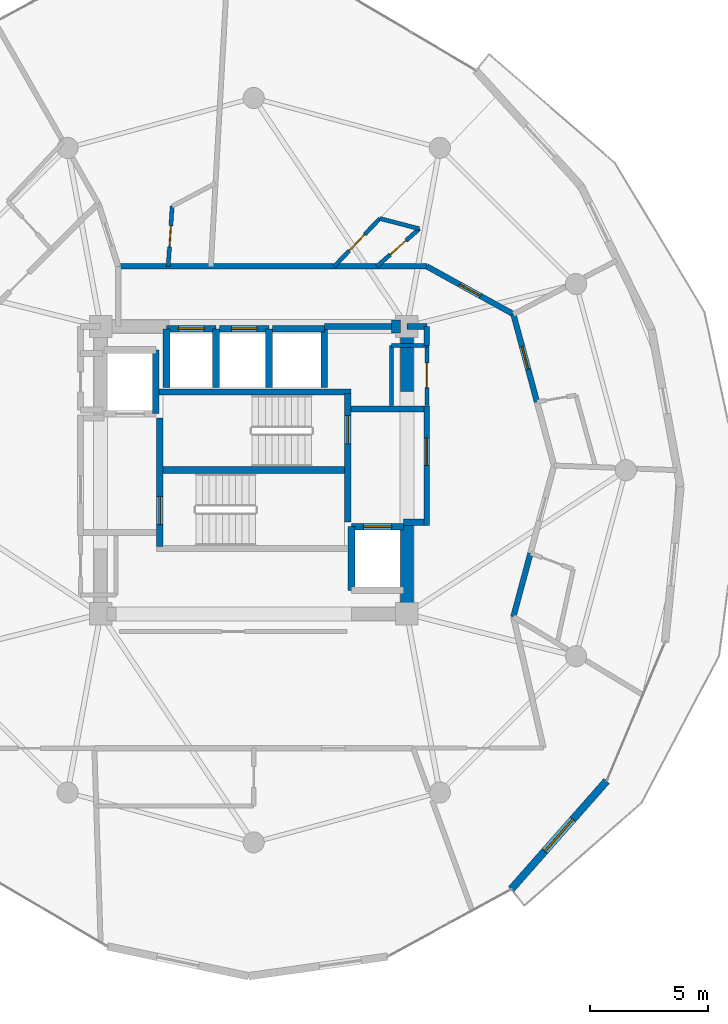
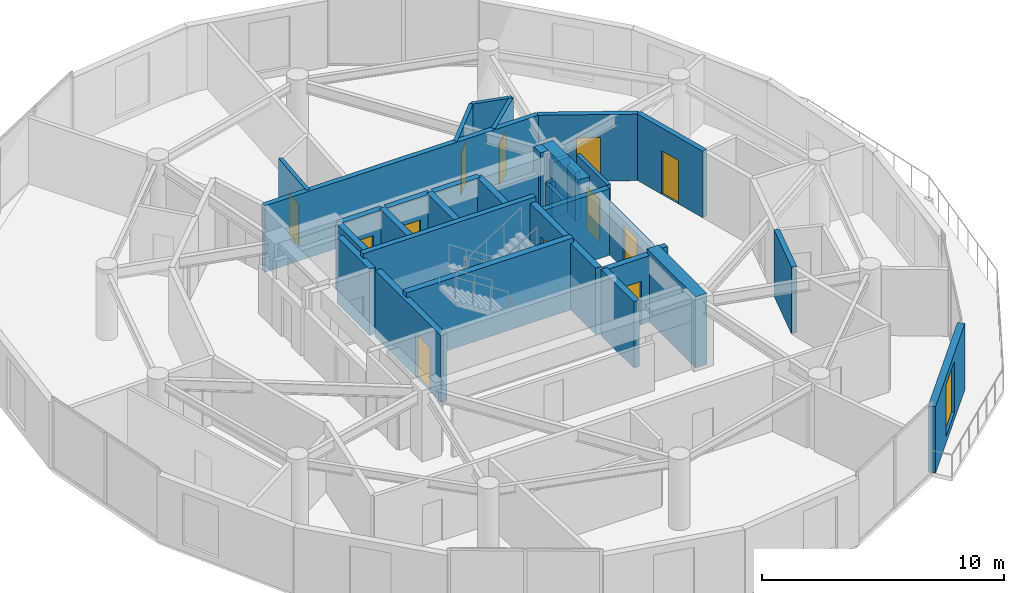
# One storey, part 18 of 21: 35 walls, 12 doors, 1 window, 13 openings.
"""IFC4 building model written with IfcOpenShell, lengths in metres."""

from ifc_helpers import new_model, si_unit, direction, frame, frame_2d, origin, place, context, subcontext, project, spatial, rectangle, extrude, material, layer, layer_set, type_object, element, fill, save


model = new_model("IFC4")

# Units and contexts
model_context = context("Model", 3, precision=1e-05, world=origin(), true_north=direction((0.0, 1.0)))
body_context = subcontext(model_context, "Body", "Model", "MODEL_VIEW")
ifc_project = project(units=[si_unit("LENGTHUNIT", "METRE"), si_unit("AREAUNIT", "SQUARE_METRE"), si_unit("VOLUMEUNIT", "CUBIC_METRE"), si_unit("PLANEANGLEUNIT", "RADIAN"), si_unit("MASSUNIT", "GRAM", prefix="KILO")], contexts=[model_context])

# Site, building, storey
site_placement = place(None, origin())
site = spatial("IfcSite", under=ifc_project, at=site_placement, CompositionType="ELEMENT")
building_placement = place(site_placement, origin())
building = spatial("IfcBuilding", under=site, at=building_placement, Name="Solvirekh Grand Hotel", CompositionType="ELEMENT")
storey_placement = place(building_placement, frame((0.0, 0.0, 223.60009765625)))
storey = spatial("IfcBuildingStorey", under=building, at=storey_placement, Name="L58", CompositionType="ELEMENT", Elevation=223.60009765625)

# Wall
ifc_material_1 = material(Name="Concrete C50/60", Category="concrete")
ifc_layer_1 = layer(ifc_material_1, 0.35009765625)
ifc_layer_set_1 = layer_set([ifc_layer_1], Name="Concrete C50/60")
wall_type_1 = type_object("IfcWallType", Name="CoreDivWall_RC350", PredefinedType="SOLIDWALL", material=ifc_layer_set_1)
wall_1_placement = place(storey_placement, frame((-4.1298828125, 3.324951171875, 0.0), z_axis=(0.0, 0.0, 1.0), x_axis=(1.0, 0.0, 0.0)))
element("IfcWall", 1, at=wall_1_placement, inside=storey, type_object=wall_type_1, Name="L58 core stair box wall ST-N", PredefinedType="SOLIDWALL", context=body_context, shape_type="SweptSolid", body=[
    extrude(rectangle(XDim=8.259765625, YDim=0.25, at=frame_2d((4.1298828125, 0.0))), origin(), (0.0, 0.0, 1.0), 3.599853515625),
])

# Wall, opening, door
ifc_material_2 = material(Name="Concrete C40/50", Category="concrete")
ifc_layer_2 = layer(ifc_material_2, 0.280029296875)
ifc_layer_set_2 = layer_set([ifc_layer_2], Name="Concrete C40/50")
wall_type_2 = type_object("IfcWallType", Name="CoreShaftWall_RC280", PredefinedType="SOLIDWALL", material=ifc_layer_set_2)
wall_2_placement = place(storey_placement, frame((-1.60009765625, 6.0, 0.0), z_axis=(0.0, 0.0, 1.0), x_axis=(-1.0, 0.0, 0.0)))
wall_2 = element("IfcWall", 2, at=wall_2_placement, inside=storey, type_object=wall_type_2, Name="L58 HP-1 hoistway N wall", PredefinedType="SOLIDWALL", context=body_context, shape_type="SweptSolid", body=[
    extrude(rectangle(XDim=2.099853515625, YDim=0.280029296875, at=frame_2d((1.0498046875, 0.0))), origin(), (0.0, 0.0, 1.0), 3.35986328125),
])
opening_1_placement = place(wall_2_placement, frame((0.5, 0.0, 0.0)))
opening_1 = element("IfcOpeningElement", 3, at=opening_1_placement, cuts=wall_2, Name="Opening LD01", PredefinedType="OPENING", context=body_context, shape_type="SweptSolid", body=[
    extrude(rectangle(XDim=1.10009765625, YDim=2.199951171875, at=frame_2d((0.550048828125, 1.10009765625))), frame((0.0, 0.14990234375, 0.0), z_axis=(0.0, -1.0, 0.0), x_axis=(1.0, 0.0, 0.0)), (0.0, 0.0, 1.0), 0.300048828125),
])
ifc_material_3 = material(Name="Fire-Rated Steel Door Assembly", Category="steel")
door_type_1 = type_object("IfcDoorType", Name="Door_LiftLanding_1100X2200", OperationType="SLIDING_TO_LEFT", PredefinedType="DOOR", material=ifc_material_3)
door_1_placement = place(opening_1_placement, origin())
door_1 = element("IfcDoor", 4, at=door_1_placement, inside=storey, type_object=door_type_1, Name="L58 HP-1 sliding lift landing door", OperationType="SLIDING_TO_LEFT", OverallHeight=2.199951171875, OverallWidth=1.10009765625, PredefinedType="DOOR", context=body_context, shape_type="SweptSolid", body=[
    extrude(rectangle(XDim=1.10009765625, YDim=2.199951171875, at=frame_2d((0.550048828125, 1.10009765625))), frame((0.0, 0.02490234375, 0.0), z_axis=(0.0, -1.0, 0.0), x_axis=(1.0, 0.0, 0.0)), (0.0, 0.0, 1.0), 0.050048828125),
])
fill(opening_1, door_1)

# Walls
for number, where, z_axis, x_axis, name in (
    (5, (-3.699951171875, 6.0, 0.0), (0.0, 0.0, 1.0), (0.0, -1.0, 0.0), "L58 HP-1 hoistway W wall"),
    (6, (-1.60009765625, 3.5, 0.0), (0.0, 0.0, 1.0), (0.0, 1.0, 0.0), "L58 HP-1 hoistway E wall"),
):
    element("IfcWall", number, at=place(storey_placement, frame(where, z_axis=z_axis, x_axis=x_axis)), inside=storey, type_object=wall_type_2, Name=name, PredefinedType="SOLIDWALL", context=body_context, shape_type="SweptSolid", body=[
        extrude(rectangle(XDim=2.5, YDim=0.280029296875, at=frame_2d((1.25, 0.0))), origin(), (0.0, 0.0, 1.0), 3.35986328125),
    ])

# Wall, opening, door
wall_3_placement = place(storey_placement, frame((0.64990234375, 6.0, 0.0), z_axis=(0.0, 0.0, 1.0), x_axis=(-1.0, 0.0, 0.0)))
wall_3 = element("IfcWall", 7, at=wall_3_placement, inside=storey, type_object=wall_type_2, Name="L58 HP-2 hoistway N wall", PredefinedType="SOLIDWALL", context=body_context, shape_type="SweptSolid", body=[
    extrude(rectangle(XDim=2.099853515625, YDim=0.280029296875, at=frame_2d((1.0498046875, 0.0))), origin(), (0.0, 0.0, 1.0), 3.35986328125),
])
opening_2_placement = place(wall_3_placement, frame((0.5, 0.0, 0.0)))
opening_2 = element("IfcOpeningElement", 8, at=opening_2_placement, cuts=wall_3, Name="Opening LD01", PredefinedType="OPENING", context=body_context, shape_type="SweptSolid", body=[
    extrude(rectangle(XDim=1.10009765625, YDim=2.199951171875, at=frame_2d((0.550048828125, 1.10009765625))), frame((0.0, 0.14990234375, 0.0), z_axis=(0.0, -1.0, 0.0), x_axis=(1.0, 0.0, 0.0)), (0.0, 0.0, 1.0), 0.300048828125),
])
door_2_placement = place(opening_2_placement, origin())
door_2 = element("IfcDoor", 9, at=door_2_placement, inside=storey, type_object=door_type_1, Name="L58 HP-2 sliding lift landing door", OperationType="SLIDING_TO_LEFT", OverallHeight=2.199951171875, OverallWidth=1.10009765625, PredefinedType="DOOR", context=body_context, shape_type="SweptSolid", body=[
    extrude(rectangle(XDim=1.10009765625, YDim=2.199951171875, at=frame_2d((0.550048828125, 1.10009765625))), frame((0.0, 0.02490234375, 0.0), z_axis=(0.0, -1.0, 0.0), x_axis=(1.0, 0.0, 0.0)), (0.0, 0.0, 1.0), 0.050048828125),
])
fill(opening_2, door_2)

# Walls
wall_4_placement = place(storey_placement, frame((0.64990234375, 3.5, 0.0), z_axis=(0.0, 0.0, 1.0), x_axis=(0.0, 1.0, 0.0)))
element("IfcWall", 10, at=wall_4_placement, inside=storey, type_object=wall_type_2, Name="L58 HP-2 hoistway E wall", PredefinedType="SOLIDWALL", context=body_context, shape_type="SweptSolid", body=[
    extrude(rectangle(XDim=2.5, YDim=0.280029296875, at=frame_2d((1.25, 0.0))), origin(), (0.0, 0.0, 1.0), 3.35986328125),
])
wall_5_placement = place(storey_placement, frame((3.0, 6.0, 0.0), z_axis=(0.0, 0.0, 1.0), x_axis=(-1.0, 0.0, 0.0)))
element("IfcWall", 11, at=wall_5_placement, inside=storey, type_object=wall_type_2, Name="L58 EX-1 hoistway N wall", PredefinedType="SOLIDWALL", context=body_context, shape_type="SweptSolid", body=[
    extrude(rectangle(XDim=2.199951171875, YDim=0.280029296875, at=frame_2d((1.10009765625, 0.0))), origin(), (0.0, 0.0, 1.0), 3.35986328125),
])
wall_6_placement = place(storey_placement, frame((3.0, 3.5, 0.0), z_axis=(0.0, 0.0, 1.0), x_axis=(0.0, 1.0, 0.0)))
element("IfcWall", 12, at=wall_6_placement, inside=storey, type_object=wall_type_2, Name="L58 EX-1 hoistway E wall", PredefinedType="SOLIDWALL", context=body_context, shape_type="SweptSolid", body=[
    extrude(rectangle(XDim=2.5, YDim=0.280029296875, at=frame_2d((1.25, 0.0))), origin(), (0.0, 0.0, 1.0), 3.35986328125),
])
wall_7_placement = place(storey_placement, frame((-4.14990234375, 2.39990234375, 0.0), z_axis=(0.0, 0.0, 1.0), x_axis=(0.0, 1.0, 0.0)))
element("IfcWall", 13, at=wall_7_placement, inside=storey, type_object=wall_type_2, Name="L58 FL-1 hoistway E wall", PredefinedType="SOLIDWALL", context=body_context, shape_type="SweptSolid", body=[
    extrude(rectangle(XDim=2.7001953125, YDim=0.280029296875, at=frame_2d((1.35009765625, 0.0))), origin(), (0.0, 0.0, 1.0), 3.35986328125),
])

# Wall, opening, door
wall_8_placement = place(storey_placement, frame((6.35009765625, -2.39990234375, 0.0), z_axis=(0.0, 0.0, 1.0), x_axis=(-1.0, 0.0, 0.0)))
wall_8 = element("IfcWall", 14, at=wall_8_placement, inside=storey, type_object=wall_type_2, Name="L58 FL-2 hoistway N wall", PredefinedType="SOLIDWALL", context=body_context, shape_type="SweptSolid", body=[
    extrude(rectangle(XDim=2.2001953125, YDim=0.280029296875, at=frame_2d((1.10009765625, 0.0))), origin(), (0.0, 0.0, 1.0), 3.35986328125),
])
opening_3_placement = place(wall_8_placement, frame((0.5, 0.0, 0.0)))
opening_3 = element("IfcOpeningElement", 15, at=opening_3_placement, cuts=wall_8, Name="Opening LD02", PredefinedType="OPENING", context=body_context, shape_type="SweptSolid", body=[
    extrude(rectangle(XDim=1.199951171875, YDim=2.199951171875, at=frame_2d((0.60009765625, 1.10009765625))), frame((0.0, 0.14990234375, 0.0), z_axis=(0.0, -1.0, 0.0), x_axis=(1.0, 0.0, 0.0)), (0.0, 0.0, 1.0), 0.300048828125),
])
door_type_2 = type_object("IfcDoorType", Name="Door_LiftFF_1200X2200", OperationType="SLIDING_TO_LEFT", PredefinedType="DOOR", material=ifc_material_3)
door_3_placement = place(opening_3_placement, origin())
door_3 = element("IfcDoor", 16, at=door_3_placement, inside=storey, type_object=door_type_2, Name="L58 FL-2 sliding lift landing door", OperationType="SLIDING_TO_LEFT", OverallHeight=2.199951171875, OverallWidth=1.199951171875, PredefinedType="DOOR", context=body_context, shape_type="SweptSolid", body=[
    extrude(rectangle(XDim=1.199951171875, YDim=2.199951171875, at=frame_2d((0.60009765625, 1.10009765625))), frame((0.0, 0.02490234375, 0.0), z_axis=(0.0, -1.0, 0.0), x_axis=(1.0, 0.0, 0.0)), (0.0, 0.0, 1.0), 0.050048828125),
])
fill(opening_3, door_3)

# Wall
wall_9_placement = place(storey_placement, frame((4.14990234375, -2.39990234375, 0.0), z_axis=(0.0, 0.0, 1.0), x_axis=(0.0, -1.0, 0.0)))
element("IfcWall", 17, at=wall_9_placement, inside=storey, type_object=wall_type_2, Name="L58 FL-2 hoistway W wall", PredefinedType="SOLIDWALL", context=body_context, shape_type="SweptSolid", body=[
    extrude(rectangle(XDim=2.7001953125, YDim=0.280029296875, at=frame_2d((1.35009765625, 0.0))), origin(), (0.0, 0.0, 1.0), 3.35986328125),
])

# Wall, opening, door
wall_10_placement = place(storey_placement, frame((-3.989990234375, -3.25, 0.0), z_axis=(0.0, 0.0, 1.0), x_axis=(0.0, 1.0, 0.0)))
wall_10 = element("IfcWall", 18, at=wall_10_placement, inside=storey, type_object=wall_type_2, Name="L58 west stair landing enclosure wall", PredefinedType="SOLIDWALL", context=body_context, shape_type="SweptSolid", body=[
    extrude(rectangle(XDim=5.4599609375, YDim=0.280029296875, at=frame_2d((2.72998046875, 0.0))), origin(), (0.0, 0.0, 1.0), 3.35986328125),
])
opening_4_placement = place(wall_10_placement, frame((0.93701171875, 0.0, 0.0)))
opening_4 = element("IfcOpeningElement", 19, at=opening_4_placement, cuts=wall_10, Name="Opening D05", PredefinedType="OPENING", context=body_context, shape_type="SweptSolid", body=[
    extrude(rectangle(XDim=1.199951171875, YDim=2.199951171875, at=frame_2d((0.60009765625, 1.10009765625))), frame((0.0, 0.14990234375, 0.0), z_axis=(0.0, -1.0, 0.0), x_axis=(1.0, 0.0, 0.0)), (0.0, 0.0, 1.0), 0.300048828125),
])
door_type_3 = type_object("IfcDoorType", Name="Door_StairCore_1200X2200", OperationType="NOTDEFINED", PredefinedType="DOOR", material=ifc_material_3)
door_4_placement = place(opening_4_placement, origin())
door_4 = element("IfcDoor", 20, at=door_4_placement, inside=storey, type_object=door_type_3, Name="L58 exit stair ST-1 fire door", OperationType="SINGLE_SWING_LEFT", OverallHeight=2.199951171875, OverallWidth=1.199951171875, PredefinedType="DOOR", context=body_context, shape_type="SweptSolid", body=[
    extrude(rectangle(XDim=1.199951171875, YDim=2.199951171875, at=frame_2d((0.60009765625, 1.10009765625))), frame((0.0, 0.02490234375, 0.0), z_axis=(0.0, -1.0, 0.0), x_axis=(1.0, 0.0, 0.0)), (0.0, 0.0, 1.0), 0.050048828125),
])
fill(opening_4, door_4)

wall_11_placement = place(storey_placement, frame((3.989990234375, -2.2099609375, 0.0), z_axis=(0.0, 0.0, 1.0), x_axis=(0.0, 1.0, 0.0)))
wall_11 = element("IfcWall", 21, at=wall_11_placement, inside=storey, type_object=wall_type_2, Name="L58 east stair landing enclosure wall", PredefinedType="SOLIDWALL", context=body_context, shape_type="SweptSolid", body=[
    extrude(rectangle(XDim=5.4599609375, YDim=0.280029296875, at=frame_2d((2.72998046875, 0.0))), origin(), (0.0, 0.0, 1.0), 3.35986328125),
])
opening_5_placement = place(wall_11_placement, frame((3.322998046875, 0.0, 0.0)))
opening_5 = element("IfcOpeningElement", 22, at=opening_5_placement, cuts=wall_11, Name="Opening D05", PredefinedType="OPENING", context=body_context, shape_type="SweptSolid", body=[
    extrude(rectangle(XDim=1.199951171875, YDim=2.199951171875, at=frame_2d((0.60009765625, 1.10009765625))), frame((0.0, 0.14990234375, 0.0), z_axis=(0.0, -1.0, 0.0), x_axis=(1.0, 0.0, 0.0)), (0.0, 0.0, 1.0), 0.300048828125),
])
door_5_placement = place(opening_5_placement, origin())
door_5 = element("IfcDoor", 23, at=door_5_placement, inside=storey, type_object=door_type_3, Name="L58 exit stair ST-2 fire door", OperationType="SINGLE_SWING_RIGHT", OverallHeight=2.199951171875, OverallWidth=1.199951171875, PredefinedType="DOOR", context=body_context, shape_type="SweptSolid", body=[
    extrude(rectangle(XDim=1.199951171875, YDim=2.199951171875, at=frame_2d((0.60009765625, 1.10009765625))), frame((0.0, 0.02490234375, 0.0), z_axis=(0.0, -1.0, 0.0), x_axis=(1.0, 0.0, 0.0)), (0.0, 0.0, 1.0), 0.050048828125),
])
fill(opening_5, door_5)

# Walls
ifc_layer_3 = layer(ifc_material_1, 0.550048828125)
ifc_layer_set_3 = layer_set([ifc_layer_3], Name="Concrete C50/60")
wall_type_3 = type_object("IfcWallType", Name="CoreWall_RC550", PredefinedType="SHEAR", material=ifc_layer_set_3)
wall_12_placement = place(storey_placement, frame((-3.989990234375, 0.0, 0.0), z_axis=(0.0, 0.0, 1.0), x_axis=(1.0, 0.0, 0.0)))
element("IfcWall", 24, at=wall_12_placement, inside=storey, type_object=wall_type_3, Name="L58 central stair-spine shear wall", PredefinedType="SHEAR", context=body_context, shape_type="SweptSolid", body=[
    extrude(rectangle(XDim=7.97998046875, YDim=0.300048828125, at=frame_2d((3.989990234375, 0.0))), origin(), (0.0, 0.0, 1.0), 3.599853515625),
])
wall_13_placement = place(storey_placement, frame((5.85009765625, 6.10009765625, 0.0), z_axis=(0.0, 0.0, 1.0), x_axis=(1.0, 0.0, 0.0)))
element("IfcWall", 25, at=wall_13_placement, inside=storey, type_object=wall_type_3, Name="L58 core corner shear wall NE-N", PredefinedType="SHEAR", context=body_context, shape_type="SweptSolid", body=[
    extrude(rectangle(XDim=0.375, YDim=0.550048828125, at=frame_2d((0.1875, 0.0))), origin(), (0.0, 0.0, 1.0), 3.599853515625),
])
wall_14_placement = place(storey_placement, frame((6.5, -6.375, 0.0), z_axis=(0.0, 0.0, 1.0), x_axis=(0.0, 1.0, 0.0)))
element("IfcWall", 26, at=wall_14_placement, inside=storey, type_object=wall_type_3, Name="L58 core corner shear wall ES-E", PredefinedType="SHEAR", context=body_context, shape_type="SweptSolid", body=[
    extrude(rectangle(XDim=4.02490234375, YDim=0.550048828125, at=frame_2d((2.012451171875, 0.0))), origin(), (0.0, 0.0, 1.0), 3.599853515625),
])
wall_15_placement = place(storey_placement, frame((6.5, 3.35009765625, 0.0), z_axis=(0.0, 0.0, 1.0), x_axis=(0.0, 1.0, 0.0)))
element("IfcWall", 27, at=wall_15_placement, inside=storey, type_object=wall_type_3, Name="L58 core corner shear wall EN-E", PredefinedType="SHEAR", context=body_context, shape_type="SweptSolid", body=[
    extrude(rectangle(XDim=3.02490234375, YDim=0.550048828125, at=frame_2d((1.512451171875, 0.0))), origin(), (0.0, 0.0, 1.0), 3.599853515625),
])

# Wall, opening, window
ifc_material_4 = material(Name="Precast concrete C45/55", Category="concrete")
ifc_layer_4 = layer(ifc_material_4, 0.320068359375)
ifc_layer_set_4 = layer_set([ifc_layer_4], Name="Precast concrete C45/55")
wall_type_4 = type_object("IfcWallType", Name="ExtLobbyWall_RC320", PredefinedType="SOLIDWALL", material=ifc_layer_set_4)
wall_16_placement = place(storey_placement, frame((14.98291015625, -13.194091796875, 0.0), z_axis=(0.0, 0.0, 1.0), x_axis=(-0.661613735925, -0.749844826905, 0.0)))
wall_16 = element("IfcWall", 28, at=wall_16_placement, inside=storey, type_object=wall_type_4, Name="L58 exterior structural wall chord 2", PredefinedType="SOLIDWALL", context=body_context, shape_type="SweptSolid", body=[
    extrude(rectangle(XDim=6.1318359375, YDim=0.320068359375, at=frame_2d((3.06591796875, 0.0))), origin(), (0.0, 0.0, 1.0), 3.35986328125),
])
opening_6_placement = place(wall_16_placement, frame((2.166015625, 0.0, 0.35009765625)))
opening_6 = element("IfcOpeningElement", 29, at=opening_6_placement, cuts=wall_16, Name="Opening W02", PredefinedType="OPENING", context=body_context, shape_type="SweptSolid", body=[
    extrude(rectangle(XDim=1.800048828125, YDim=2.60009765625, at=frame_2d((0.89990234375, 1.300048828125))), frame((0.0, 0.169921875, 0.0), z_axis=(0.0, -1.0, 0.0), x_axis=(1.0, 0.0, 0.0)), (0.0, 0.0, 1.0), 0.340087890625),
])
ifc_material_5 = material(Name="Low-E Tinted Bronze Laminated Glass", Category="aluminium")
window_type = type_object("IfcWindowType", Name="Win_LobbyExt_1800X2600", PartitioningType="SINGLE_PANEL", PredefinedType="WINDOW", material=ifc_material_5)
window_placement = place(opening_6_placement, origin())
window = element("IfcWindow", 30, at=window_placement, inside=storey, type_object=window_type, Name="L58 panoramic bronze-framed window 2", OverallHeight=2.60009765625, OverallWidth=1.800048828125, PartitioningType="SINGLE_PANEL", PredefinedType="WINDOW", context=body_context, shape_type="SweptSolid", body=[
    extrude(rectangle(XDim=1.800048828125, YDim=2.60009765625, at=frame_2d((0.89990234375, 1.300048828125))), frame((0.0, 0.030029296875, 0.0), z_axis=(0.0, -1.0, 0.0), x_axis=(1.0, 0.0, 0.0)), (0.0, 0.0, 1.0), 0.06005859375),
])
fill(opening_6, window)

# Wall, opening, door
ifc_material_6 = material(Name="Acoustic Gypsum Partition Assembly")
ifc_layer_5 = layer(ifc_material_6, 0.1650390625)
ifc_layer_set_5 = layer_set([ifc_layer_5], Name="Acoustic Gypsum Partition Assembly")
wall_type_5 = type_object("IfcWallType", Name="Part_BOH_165", PredefinedType="PARTITIONING", material=ifc_layer_set_5)
wall_17_placement = place(storey_placement, frame((7.35009765625, 2.75, 0.0), z_axis=(0.0, 0.0, 1.0), x_axis=(0.0, 1.0, 0.0)))
wall_17 = element("IfcWall", 31, at=wall_17_placement, inside=storey, type_object=wall_type_5, Name="L58 L58 Telecom Distribution Room wall 2", PredefinedType="PARTITIONING", context=body_context, shape_type="SweptSolid", body=[
    extrude(rectangle(XDim=2.550048828125, YDim=0.1650390625, at=frame_2d((1.27490234375, 0.0))), origin(), (0.0, 0.0, 1.0), 3.35986328125),
])
opening_7_placement = place(wall_17_placement, frame((0.75, 0.0, 0.0)))
opening_7 = element("IfcOpeningElement", 32, at=opening_7_placement, cuts=wall_17, Name="Opening D12", PredefinedType="OPENING", context=body_context, shape_type="SweptSolid", body=[
    extrude(rectangle(XDim=1.050048828125, YDim=2.14990234375, at=frame_2d((0.52490234375, 1.074951171875))), frame((0.0, 0.092529296875, 0.0), z_axis=(0.0, -1.0, 0.0), x_axis=(1.0, 0.0, 0.0)), (0.0, 0.0, 1.0), 0.18505859375),
])
door_type_4 = type_object("IfcDoorType", Name="Door_PlantBOH_1050X2150", OperationType="NOTDEFINED", PredefinedType="DOOR", material=ifc_material_3)
door_6_placement = place(opening_7_placement, origin())
door_6 = element("IfcDoor", 33, at=door_6_placement, inside=storey, type_object=door_type_4, Name="L58 L58 Telecom Distribution Room door", OperationType="SINGLE_SWING_LEFT", OverallHeight=2.14990234375, OverallWidth=1.050048828125, PredefinedType="DOOR", context=body_context, shape_type="SweptSolid", body=[
    extrude(rectangle(XDim=1.050048828125, YDim=2.14990234375, at=frame_2d((0.52490234375, 1.074951171875))), frame((0.0, 0.02490234375, 0.0), z_axis=(0.0, -1.0, 0.0), x_axis=(1.0, 0.0, 0.0)), (0.0, 0.0, 1.0), 0.050048828125),
])
fill(opening_7, door_6)

# Walls
wall_18_placement = place(storey_placement, frame((7.35009765625, 5.300048828125, 0.0), z_axis=(0.0, 0.0, 1.0), x_axis=(-1.0, 0.0, 0.0)))
element("IfcWall", 34, at=wall_18_placement, inside=storey, type_object=wall_type_5, Name="L58 L58 Telecom Distribution Room wall 3", PredefinedType="PARTITIONING", context=body_context, shape_type="SweptSolid", body=[
    extrude(rectangle(XDim=1.5, YDim=0.1650390625, at=frame_2d((0.75, 0.0))), origin(), (0.0, 0.0, 1.0), 2.44482421875),
])
wall_19_placement = place(storey_placement, frame((5.85009765625, 5.300048828125, 0.0), z_axis=(0.0, 0.0, 1.0), x_axis=(0.0, -1.0, 0.0)))
element("IfcWall", 35, at=wall_19_placement, inside=storey, type_object=wall_type_5, Name="L58 L58 Telecom Distribution Room wall 4", PredefinedType="PARTITIONING", context=body_context, shape_type="SweptSolid", body=[
    extrude(rectangle(XDim=2.550048828125, YDim=0.1650390625, at=frame_2d((1.27490234375, 0.0))), origin(), (0.0, 0.0, 1.0), 2.44482421875),
])

# Wall, opening, door
ifc_layer_6 = layer(ifc_material_6, 0.239990234375)
ifc_layer_set_6 = layer_set([ifc_layer_6], Name="Acoustic Gypsum Partition Assembly")
wall_type_6 = type_object("IfcWallType", Name="Part_Corridor_240", PredefinedType="PARTITIONING", material=ifc_layer_set_6)
wall_20_placement = place(storey_placement, frame((7.35009765625, -2.340087890625, 0.0), z_axis=(0.0, 0.0, 1.0), x_axis=(0.0, 1.0, 0.0)))
wall_20 = element("IfcWall", 36, at=wall_20_placement, inside=storey, type_object=wall_type_6, Name="L58 east firefighting lobby smoke screen wall", PredefinedType="PARTITIONING", context=body_context, shape_type="SweptSolid", body=[
    extrude(rectangle(XDim=5.070068359375, YDim=0.239990234375, at=frame_2d((2.53515625, 0.0))), origin(), (0.0, 0.0, 1.0), 2.44482421875),
])
opening_8_placement = place(wall_20_placement, frame((2.548095703125, 0.0, 0.0)))
opening_8 = element("IfcOpeningElement", 37, at=opening_8_placement, cuts=wall_20, Name="Opening D06", PredefinedType="OPENING", context=body_context, shape_type="SweptSolid", body=[
    extrude(rectangle(XDim=1.14990234375, YDim=2.199951171875, at=frame_2d((0.574951171875, 1.10009765625))), frame((0.0, 0.1298828125, 0.0), z_axis=(0.0, -1.0, 0.0), x_axis=(1.0, 0.0, 0.0)), (0.0, 0.0, 1.0), 0.260009765625),
])
door_type_5 = type_object("IfcDoorType", Name="Door_FFLobby_1150X2200", OperationType="NOTDEFINED", PredefinedType="DOOR", material=ifc_material_3)
door_7_placement = place(opening_8_placement, origin())
door_7 = element("IfcDoor", 38, at=door_7_placement, inside=storey, type_object=door_type_5, Name="L58 east firefighting lobby smoke door", OperationType="SINGLE_SWING_RIGHT", OverallHeight=2.199951171875, OverallWidth=1.14990234375, PredefinedType="DOOR", context=body_context, shape_type="SweptSolid", body=[
    extrude(rectangle(XDim=1.14990234375, YDim=2.199951171875, at=frame_2d((0.574951171875, 1.10009765625))), frame((0.0, 0.02490234375, 0.0), z_axis=(0.0, -1.0, 0.0), x_axis=(1.0, 0.0, 0.0)), (0.0, 0.0, 1.0), 0.050048828125),
])
fill(opening_8, door_7)

# Walls
wall_21_placement = place(storey_placement, frame((-5.75, 8.64990234375, 0.0), z_axis=(0.0, 0.0, 1.0), x_axis=(1.0, 0.0, 0.0)))
element("IfcWall", 39, at=wall_21_placement, inside=storey, type_object=wall_type_6, Name="L58 north lift lobby enclosure wall", PredefinedType="PARTITIONING", context=body_context, shape_type="SweptSolid", body=[
    extrude(rectangle(XDim=13.10009765625, YDim=0.239990234375, at=frame_2d((6.550048828125, 0.0))), origin(), (0.0, 0.0, 1.0), 3.35986328125),
])
wall_22_placement = place(storey_placement, frame((3.0, 6.10009765625, 0.0), z_axis=(0.0, 0.0, 1.0), x_axis=(1.0, 0.0, 0.0)))
element("IfcWall", 40, at=wall_22_placement, inside=storey, type_object=wall_type_6, Name="L58 north core shaft infill wall", PredefinedType="PARTITIONING", context=body_context, shape_type="SweptSolid", body=[
    extrude(rectangle(XDim=2.85009765625, YDim=0.239990234375, at=frame_2d((1.425048828125, 0.0))), origin(), (0.0, 0.0, 1.0), 2.44482421875),
])
wall_23_placement = place(storey_placement, frame((7.35009765625, 5.300048828125, 0.0), z_axis=(0.0, 0.0, 1.0), x_axis=(0.0, 1.0, 0.0)))
element("IfcWall", 41, at=wall_23_placement, inside=storey, type_object=wall_type_6, Name="L58 NE core cheek closure wall", PredefinedType="PARTITIONING", context=body_context, shape_type="SweptSolid", body=[
    extrude(rectangle(XDim=0.800048828125, YDim=0.239990234375, at=frame_2d((0.39990234375, 0.0))), origin(), (0.0, 0.0, 1.0), 2.44482421875),
])
wall_24_placement = place(storey_placement, frame((6.5, 6.10009765625, 0.0), z_axis=(0.0, 0.0, 1.0), x_axis=(1.0, 0.0, 0.0)))
element("IfcWall", 42, at=wall_24_placement, inside=storey, type_object=wall_type_6, Name="L58 NE core corner tie wall", PredefinedType="PARTITIONING", context=body_context, shape_type="SweptSolid", body=[
    extrude(rectangle(XDim=0.85009765625, YDim=0.239990234375, at=frame_2d((0.425048828125, 0.0))), origin(), (0.0, 0.0, 1.0), 2.80078125),
])

# Wall, opening, door
wall_25_placement = place(storey_placement, frame((7.35009765625, 8.64990234375, 0.0), z_axis=(0.0, 0.0, 1.0), x_axis=(0.875674474849, -0.482901867979, 0.0)))
wall_25 = element("IfcWall", 43, at=wall_25_placement, inside=storey, type_object=wall_type_6, Name="L58 Deluxe Guestroom 6001 entrance wall", PredefinedType="PARTITIONING", context=body_context, shape_type="SweptSolid", body=[
    extrude(rectangle(XDim=4.193115234375, YDim=0.239990234375, at=frame_2d((2.0966796875, 0.0))), origin(), (0.0, 0.0, 1.0), 3.35986328125),
])
opening_9_placement = place(wall_25_placement, frame((1.596923828125, 0.0, 0.0)))
opening_9 = element("IfcOpeningElement", 44, at=opening_9_placement, cuts=wall_25, Name="Opening D07", PredefinedType="OPENING", context=body_context, shape_type="SweptSolid", body=[
    extrude(rectangle(XDim=1.0, YDim=2.199951171875, at=frame_2d((0.5, 1.10009765625))), frame((0.0, 0.1298828125, 0.0), z_axis=(0.0, -1.0, 0.0), x_axis=(1.0, 0.0, 0.0)), (0.0, 0.0, 1.0), 0.260009765625),
])
door_type_6 = type_object("IfcDoorType", Name="Door_GuestEntry_1000X2200", OperationType="NOTDEFINED", PredefinedType="DOOR", material=ifc_material_3)
door_8_placement = place(opening_9_placement, origin())
door_8 = element("IfcDoor", 45, at=door_8_placement, inside=storey, type_object=door_type_6, Name="L58 Deluxe Guestroom 6001 entrance door", OperationType="SINGLE_SWING_RIGHT", OverallHeight=2.199951171875, OverallWidth=1.0, PredefinedType="DOOR", context=body_context, shape_type="SweptSolid", body=[
    extrude(rectangle(XDim=1.0, YDim=2.199951171875, at=frame_2d((0.5, 1.10009765625))), frame((0.0, 0.02490234375, 0.0), z_axis=(0.0, -1.0, 0.0), x_axis=(1.0, 0.0, 0.0)), (0.0, 0.0, 1.0), 0.050048828125),
])
fill(opening_9, door_8)

# Wall
wall_26_placement = place(storey_placement, frame((11.02197265625, -6.22509765625, 0.0), z_axis=(0.0, 0.0, 1.0), x_axis=(0.259760468719, 0.965673080753, 0.0)))
element("IfcWall", 46, at=wall_26_placement, inside=storey, type_object=wall_type_6, Name="L58 En-suite Bathroom 6004 corridor backing wall", PredefinedType="PARTITIONING", context=body_context, shape_type="SweptSolid", body=[
    extrude(rectangle(XDim=2.795166015625, YDim=0.239990234375, at=frame_2d((1.3974609375, 0.0))), origin(), (0.0, 0.0, 1.0), 3.35986328125),
])

# Wall, opening, door
wall_27_placement = place(storey_placement, frame((12.02392578125, 2.89794921875, 0.0), z_axis=(0.0, 0.0, 1.0), x_axis=(-0.259615016843, 0.965712194719, 0.0)))
wall_27 = element("IfcWall", 47, at=wall_27_placement, inside=storey, type_object=wall_type_6, Name="L58 Deluxe Guestroom 6005 entrance wall", PredefinedType="PARTITIONING", context=body_context, shape_type="SweptSolid", body=[
    extrude(rectangle(XDim=3.859375, YDim=0.239990234375, at=frame_2d((1.9296875, 0.0))), origin(), (0.0, 0.0, 1.0), 3.35986328125),
])
opening_10_placement = place(wall_27_placement, frame((1.429931640625, 0.0, 0.0)))
opening_10 = element("IfcOpeningElement", 48, at=opening_10_placement, cuts=wall_27, Name="Opening D07", PredefinedType="OPENING", context=body_context, shape_type="SweptSolid", body=[
    extrude(rectangle(XDim=1.0, YDim=2.199951171875, at=frame_2d((0.5, 1.10009765625))), frame((0.0, 0.1298828125, 0.0), z_axis=(0.0, -1.0, 0.0), x_axis=(1.0, 0.0, 0.0)), (0.0, 0.0, 1.0), 0.260009765625),
])
door_9_placement = place(opening_10_placement, origin())
door_9 = element("IfcDoor", 49, at=door_9_placement, inside=storey, type_object=door_type_6, Name="L58 Deluxe Guestroom 6005 entrance door", OperationType="SINGLE_SWING_LEFT", OverallHeight=2.199951171875, OverallWidth=1.0, PredefinedType="DOOR", context=body_context, shape_type="SweptSolid", body=[
    extrude(rectangle(XDim=1.0, YDim=2.199951171875, at=frame_2d((0.5, 1.10009765625))), frame((0.0, 0.02490234375, 0.0), z_axis=(0.0, -1.0, 0.0), x_axis=(1.0, 0.0, 0.0)), (0.0, 0.0, 1.0), 0.050048828125),
])
fill(opening_10, door_9)

# Walls
ifc_layer_7 = layer(ifc_material_6, 0.260009765625)
ifc_layer_set_7 = layer_set([ifc_layer_7], Name="Acoustic Gypsum Partition Assembly")
wall_type_7 = type_object("IfcWallType", Name="Part_LobbyFF_260", PredefinedType="PARTITIONING", material=ifc_layer_set_7)
wall_28_placement = place(storey_placement, frame((6.35009765625, -2.2099609375, 0.0), z_axis=(0.0, 0.0, 1.0), x_axis=(1.0, 0.0, 0.0)))
element("IfcWall", 50, at=wall_28_placement, inside=storey, type_object=wall_type_7, Name="L58 east firefighting lobby SE cheek", PredefinedType="PARTITIONING", context=body_context, shape_type="SweptSolid", body=[
    extrude(rectangle(XDim=0.875, YDim=0.260009765625, at=frame_2d((0.4375, 0.0))), origin(), (0.0, 0.0, 1.0), 3.35986328125),
])
wall_29_placement = place(storey_placement, frame((4.1298828125, 2.60009765625, 0.0), z_axis=(0.0, 0.0, 1.0), x_axis=(1.0, 0.0, 0.0)))
element("IfcWall", 51, at=wall_29_placement, inside=storey, type_object=wall_type_7, Name="L58 east firefighting lobby north partition", PredefinedType="PARTITIONING", context=body_context, shape_type="SweptSolid", body=[
    extrude(rectangle(XDim=3.09521484375, YDim=0.260009765625, at=frame_2d((1.547607421875, 0.0))), origin(), (0.0, 0.0, 1.0), 3.35986328125),
])
ifc_layer_8 = layer(ifc_material_6, 0.175048828125)
ifc_layer_set_8 = layer_set([ifc_layer_8], Name="Acoustic Gypsum Partition Assembly")
wall_type_8 = type_object("IfcWallType", Name="Plumb_Ensuite_175", PredefinedType="PLUMBINGWALL", material=ifc_layer_set_8)
wall_30_placement = place(storey_placement, frame((5.35595703125, 10.68310546875, 0.0), z_axis=(0.0, 0.0, 1.0), x_axis=(0.967748954233, -0.25191657663, 0.0)))
element("IfcWall", 52, at=wall_30_placement, inside=storey, type_object=wall_type_8, Name="L58 En-suite Bathroom 6001 outer plumbing wall", PredefinedType="PLUMBINGWALL", context=body_context, shape_type="SweptSolid", body=[
    extrude(rectangle(XDim=1.73095703125, YDim=0.175048828125, at=frame_2d((0.865478515625, 0.0))), origin(), (0.0, 0.0, 1.0), 3.35986328125),
])

# Wall, opening, door
wall_31_placement = place(storey_placement, frame((5.35595703125, 10.68310546875, 0.0), z_axis=(0.0, 0.0, 1.0), x_axis=(-0.689590027436, -0.724199968283, 0.0)))
wall_31 = element("IfcWall", 53, at=wall_31_placement, inside=storey, type_object=wall_type_8, Name="L58 En-suite Bathroom 6001 side plumbing wall", PredefinedType="PLUMBINGWALL", context=body_context, shape_type="SweptSolid", body=[
    extrude(rectangle(XDim=2.8076171875, YDim=0.175048828125, at=frame_2d((1.40380859375, 0.0))), origin(), (0.0, 0.0, 1.0), 3.35986328125),
])
opening_11_placement = place(wall_31_placement, frame((0.928955078125, 0.0, 0.0)))
opening_11 = element("IfcOpeningElement", 54, at=opening_11_placement, cuts=wall_31, Name="Opening D10", PredefinedType="OPENING", context=body_context, shape_type="SweptSolid", body=[
    extrude(rectangle(XDim=0.949951171875, YDim=2.10009765625, at=frame_2d((0.47509765625, 1.050048828125))), frame((0.0, 0.09765625, 0.0), z_axis=(0.0, -1.0, 0.0), x_axis=(1.0, 0.0, 0.0)), (0.0, 0.0, 1.0), 0.195068359375),
])
ifc_material_7 = material(Name="Anodized Bronze Aluminium 6063-T6", Category="aluminium")
door_type_7 = type_object("IfcDoorType", Name="Door_RoomInt_950X2100", OperationType="NOTDEFINED", PredefinedType="DOOR", material=ifc_material_7)
door_10_placement = place(opening_11_placement, origin())
door_10 = element("IfcDoor", 55, at=door_10_placement, inside=storey, type_object=door_type_7, Name="L58 Panorama Suite 6001 North Observatory Study master bedroom door", OperationType="SINGLE_SWING_LEFT", OverallHeight=2.10009765625, OverallWidth=0.949951171875, PredefinedType="DOOR", context=body_context, shape_type="SweptSolid", body=[
    extrude(rectangle(XDim=0.949951171875, YDim=2.10009765625, at=frame_2d((0.47509765625, 1.050048828125))), frame((0.0, 0.02490234375, 0.0), z_axis=(0.0, -1.0, 0.0), x_axis=(1.0, 0.0, 0.0)), (0.0, 0.0, 1.0), 0.050048828125),
])
fill(opening_11, door_10)

wall_32_placement = place(storey_placement, frame((5.22802734375, 8.64990234375, 0.0), z_axis=(0.0, 0.0, 1.0), x_axis=(0.748537869346, 0.663092043502, 0.0)))
wall_32 = element("IfcWall", 56, at=wall_32_placement, inside=storey, type_object=wall_type_8, Name="L58 En-suite Bathroom 6001 entry plumbing wall", PredefinedType="PLUMBINGWALL", context=body_context, shape_type="SweptSolid", body=[
    extrude(rectangle(XDim=2.40869140625, YDim=0.175048828125, at=frame_2d((1.204345703125, 0.0))), origin(), (0.0, 0.0, 1.0), 3.35986328125),
])
opening_12_placement = place(wall_32_placement, frame((0.75390625, 0.0, 0.0)))
opening_12 = element("IfcOpeningElement", 57, at=opening_12_placement, cuts=wall_32, Name="Opening D09", PredefinedType="OPENING", context=body_context, shape_type="SweptSolid", body=[
    extrude(rectangle(XDim=0.89990234375, YDim=2.10009765625, at=frame_2d((0.449951171875, 1.050048828125))), frame((0.0, 0.09765625, 0.0), z_axis=(0.0, -1.0, 0.0), x_axis=(1.0, 0.0, 0.0)), (0.0, 0.0, 1.0), 0.195068359375),
])
door_type_8 = type_object("IfcDoorType", Name="Door_Ensuite_900X2100", OperationType="NOTDEFINED", PredefinedType="DOOR", material=ifc_material_7)
door_11_placement = place(opening_12_placement, origin())
door_11 = element("IfcDoor", 58, at=door_11_placement, inside=storey, type_object=door_type_8, Name="L58 En-suite Bathroom 6001 door", OperationType="SINGLE_SWING_LEFT", OverallHeight=2.10009765625, OverallWidth=0.89990234375, PredefinedType="DOOR", context=body_context, shape_type="SweptSolid", body=[
    extrude(rectangle(XDim=0.89990234375, YDim=2.10009765625, at=frame_2d((0.449951171875, 1.050048828125))), frame((0.0, 0.02490234375, 0.0), z_axis=(0.0, -1.0, 0.0), x_axis=(1.0, 0.0, 0.0)), (0.0, 0.0, 1.0), 0.050048828125),
])
fill(opening_12, door_11)

wall_33_placement = place(storey_placement, frame((-3.4609375, 11.2041015625, 0.0), z_axis=(0.0, 0.0, 1.0), x_axis=(-0.065240183473, -0.997869589907, 0.0)))
wall_33 = element("IfcWall", 59, at=wall_33_placement, inside=storey, type_object=wall_type_8, Name="L58 En-suite Bathroom 6002 entry plumbing wall", PredefinedType="PLUMBINGWALL", context=body_context, shape_type="SweptSolid", body=[
    extrude(rectangle(XDim=2.5595703125, YDim=0.175048828125, at=frame_2d((1.27978515625, 0.0))), origin(), (0.0, 0.0, 1.0), 3.35986328125),
])
opening_13_placement = place(wall_33_placement, frame((0.830078125, 0.0, 0.0)))
opening_13 = element("IfcOpeningElement", 60, at=opening_13_placement, cuts=wall_33, Name="Opening D09", PredefinedType="OPENING", context=body_context, shape_type="SweptSolid", body=[
    extrude(rectangle(XDim=0.89990234375, YDim=2.10009765625, at=frame_2d((0.449951171875, 1.050048828125))), frame((0.0, 0.09765625, 0.0), z_axis=(0.0, -1.0, 0.0), x_axis=(1.0, 0.0, 0.0)), (0.0, 0.0, 1.0), 0.195068359375),
])
door_12_placement = place(opening_13_placement, origin())
door_12 = element("IfcDoor", 61, at=door_12_placement, inside=storey, type_object=door_type_8, Name="L58 En-suite Bathroom 6002 door", OperationType="SINGLE_SWING_RIGHT", OverallHeight=2.10009765625, OverallWidth=0.89990234375, PredefinedType="DOOR", context=body_context, shape_type="SweptSolid", body=[
    extrude(rectangle(XDim=0.89990234375, YDim=2.10009765625, at=frame_2d((0.449951171875, 1.050048828125))), frame((0.0, 0.02490234375, 0.0), z_axis=(0.0, -1.0, 0.0), x_axis=(1.0, 0.0, 0.0)), (0.0, 0.0, 1.0), 0.050048828125),
])
fill(opening_13, door_12)

save(model, "model.ifc")
